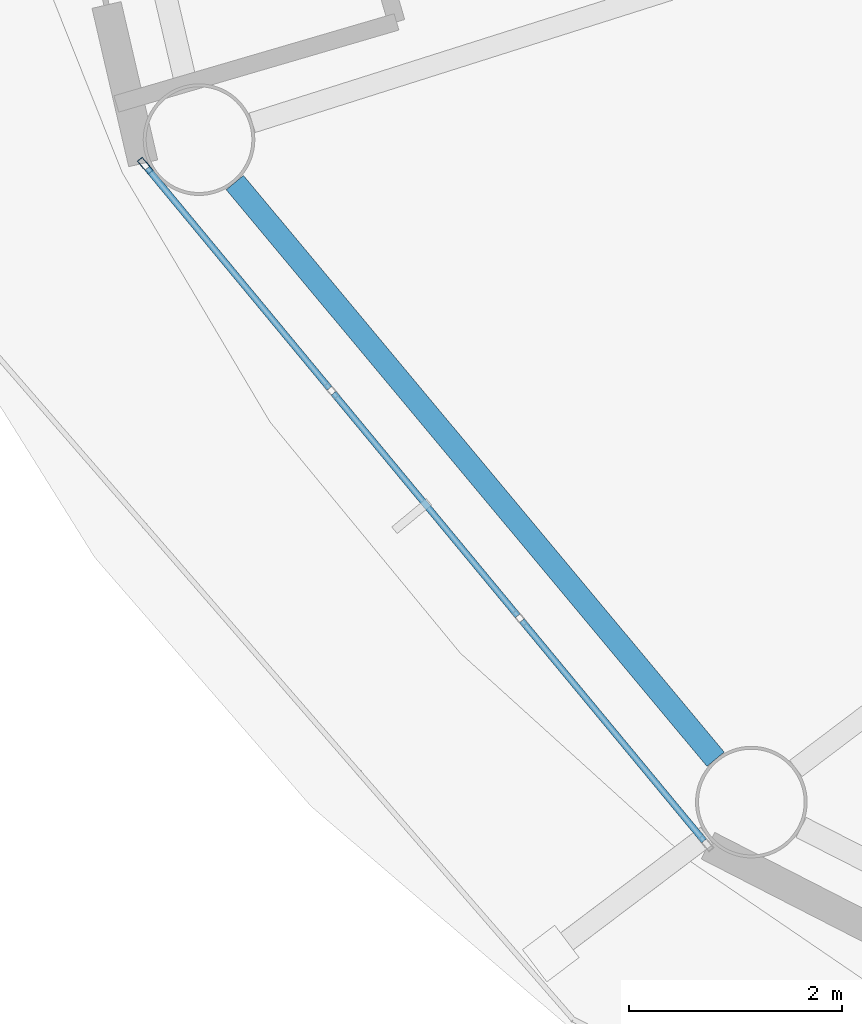
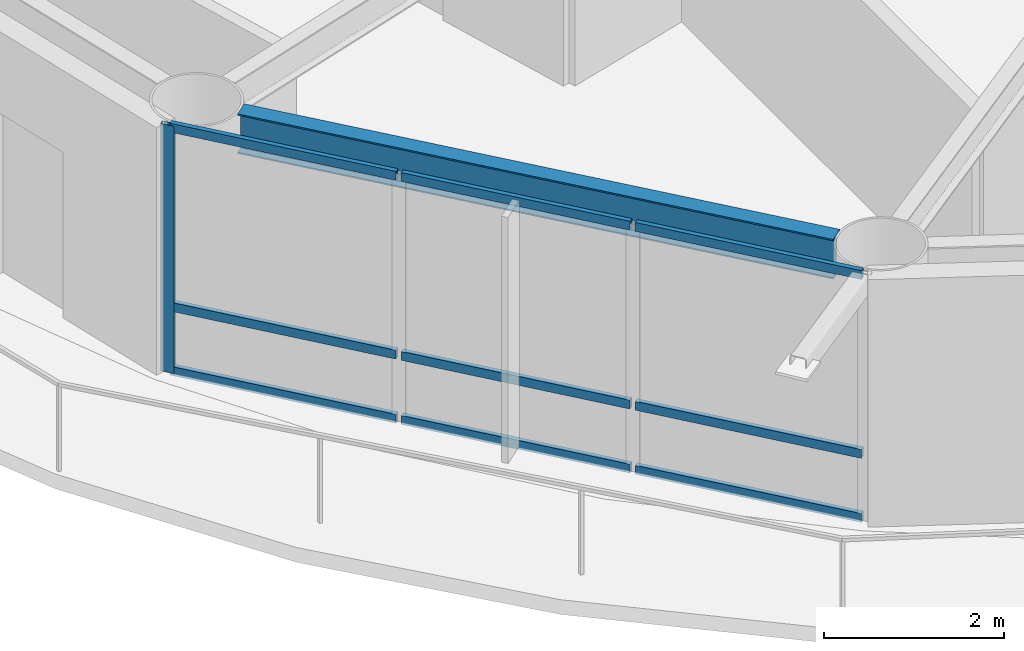
# One storey, part 3 of 23: 10 members, 1 beam, 1 element without a shape of its own.
"""IFC4 building model written with IfcOpenShell, lengths in metres."""

import ifcopenshell
import ifcopenshell.guid

model = None  # the IFC model being written
_history = None  # IfcOwnerHistory: only IFC2X3 demands one
_inside = {}  # id of a spatial element -> (the spatial element, [elements in it])
_under = {}  # id of a project, library or spatial element -> (it, [spatial elements below it])
_declared = {}  # id of a project -> (the project, [libraries it declares])
_typed = {}  # id of a type object -> (the type object, [elements of that type])
_made_of = {}  # id of a material, layer set ... -> (it, [elements and type objects made of it])


def new_model(schema):
    """Start an empty IFC model of exactly this schema.

    Asked for "IFC4X3", IfcOpenShell would pick the latest addendum, in which some entities
    have other attributes; the version numbers below select the first issue.
    IFC2X3 requires an IfcOwnerHistory on every rooted entity: one is made here for all.
    """
    global model, _history
    if schema == "IFC4X3":
        model = ifcopenshell.file(schema_version=(4, 3, 0, 0))
    else:
        model = ifcopenshell.file(schema=schema)
    _inside.clear()
    _under.clear()
    _declared.clear()
    _typed.clear()
    _made_of.clear()
    _history = None
    if model.schema == "IFC2X3":
        org = make("IfcOrganization", Name="unknown")
        user = make(
            "IfcPersonAndOrganization",
            ThePerson=make("IfcPerson", FamilyName="unknown"),
            TheOrganization=org,
        )
        app = make(
            "IfcApplication",
            ApplicationDeveloper=org,
            Version="unknown",
            ApplicationFullName="unknown",
            ApplicationIdentifier="unknown",
        )
        _history = make(
            "IfcOwnerHistory",
            OwningUser=user,
            OwningApplication=app,
            ChangeAction="ADDED",
            CreationDate=0,
        )
    return model


def make(cls, **values):
    """One entity of the class cls with the attributes given. An attribute that is None is left unset."""
    return model.create_entity(
        cls, **{name: value for name, value in values.items() if value is not None}
    )


def rooted(cls, **values):
    """An entity with a GlobalId (a new one), such as an element, a storey or a relation."""
    return make(cls, GlobalId=ifcopenshell.guid.new(), OwnerHistory=_history, **values)


def si_unit(unit_type, name, prefix=None):
    """IfcSIUnit, for example si_unit("LENGTHUNIT", "METRE", prefix="MILLI")."""
    return make("IfcSIUnit", UnitType=unit_type, Prefix=prefix, Name=name)


def assignment(units):
    """IfcUnitAssignment: the units of a project."""
    return None if units is None else make("IfcUnitAssignment", Units=units)


def point(xyz):
    """IfcCartesianPoint."""
    return None if xyz is None else make("IfcCartesianPoint", Coordinates=xyz)


def direction(xyz):
    """IfcDirection."""
    return None if xyz is None else make("IfcDirection", DirectionRatios=xyz)


def frame(location, z_axis=None, x_axis=None):
    """IfcAxis2Placement3D, a coordinate frame: its origin and axes. An axis left out is left unset."""
    return make(
        "IfcAxis2Placement3D",
        Location=point(location),
        Axis=direction(z_axis),
        RefDirection=direction(x_axis),
    )


def frame_2d(location, x_axis=None):
    """IfcAxis2Placement2D, a coordinate frame in the plane: its origin and x axis."""
    return make(
        "IfcAxis2Placement2D", Location=point(location), RefDirection=direction(x_axis)
    )


def origin():
    """The frame at (0, 0, 0) with its axes left unset."""
    return frame((0.0, 0.0, 0.0))


def origin_2d():
    """The frame at (0, 0) in the plane with its x axis left unset."""
    return frame_2d((0.0, 0.0))


def place(relative_to, where):
    """IfcLocalPlacement: puts the frame where relative to a parent placement (None: the world)."""
    return make(
        "IfcLocalPlacement", PlacementRelTo=relative_to, RelativePlacement=where
    )


def context(
    kind, dimensions, precision=None, world=None, true_north=None, identifier=None
):
    """IfcGeometricRepresentationContext, for example the 3D "Model" context."""
    return make(
        "IfcGeometricRepresentationContext",
        ContextIdentifier=identifier,
        ContextType=kind,
        CoordinateSpaceDimension=dimensions,
        Precision=precision,
        WorldCoordinateSystem=world,
        TrueNorth=true_north,
    )


def subcontext(parent, identifier, kind, view, scale=None):
    """IfcGeometricRepresentationSubContext, for example "Body" below "Model"."""
    return make(
        "IfcGeometricRepresentationSubContext",
        ContextIdentifier=identifier,
        ContextType=kind,
        ParentContext=parent,
        TargetScale=scale,
        TargetView=view,
    )


def project(units=None, contexts=None):
    """IfcProject with its units and contexts."""
    return rooted(
        "IfcProject",
        Name="project",
        RepresentationContexts=contexts,
        UnitsInContext=assignment(units),
    )


def spatial(cls, under=None, at=None, **own):
    """A site, building, storey or space (cls), placed at a placement, below another one or the project."""
    s = rooted(cls, ObjectPlacement=at, **own)
    if under is not None:
        _under.setdefault(under.id(), (under, []))[1].append(s)
    return s


def profile(cls, at=None, kind="AREA", **sizes):
    """A parametric profile (cls). Its sizes go by their IFC names, for example OverallWidth=200.0."""
    return make(cls, ProfileType=kind, Position=at, **sizes)


def hollow_rectangle(**sizes):
    """IfcRectangleHollowProfileDef."""
    return profile("IfcRectangleHollowProfileDef", **sizes)


def i_section(**sizes):
    """IfcIShapeProfileDef."""
    return profile("IfcIShapeProfileDef", **sizes)


def extrude(swept, where, along, depth):
    """IfcExtrudedAreaSolid: the profile swept, set in the frame where, extruded along a direction by depth."""
    return make(
        "IfcExtrudedAreaSolid",
        SweptArea=swept,
        Position=where,
        ExtrudedDirection=direction(along),
        Depth=depth,
    )


def shape(context_of_items, identifier, shape_type, items):
    """IfcShapeRepresentation: the items that make up one representation, for example the "Body"."""
    return make(
        "IfcShapeRepresentation",
        ContextOfItems=context_of_items,
        RepresentationIdentifier=identifier,
        RepresentationType=shape_type,
        Items=items,
    )


def material(Name=None, Category=None):
    """IfcMaterial."""
    return make("IfcMaterial", Name=Name, Category=Category)


def layer(
    of_material, thickness, ventilated=None, Name=None, Category=None, Priority=None
):
    """IfcMaterialLayer: one layer of a wall or slab, of a material (None: an air gap)."""
    return make(
        "IfcMaterialLayer",
        Material=of_material,
        LayerThickness=thickness,
        IsVentilated=ventilated,
        Name=Name,
        Category=Category,
        Priority=Priority,
    )


def layer_set(layers, Name=None):
    """IfcMaterialLayerSet."""
    return make("IfcMaterialLayerSet", MaterialLayers=layers, LayerSetName=Name)


def material_profile(
    of_material, cross_section, Name=None, Category=None, Priority=None
):
    """IfcMaterialProfile: a cross section and its material."""
    return make(
        "IfcMaterialProfile",
        Name=Name,
        Material=of_material,
        Profile=cross_section,
        Priority=Priority,
        Category=Category,
    )


def profile_set(profiles, Name=None, composite=None):
    """IfcMaterialProfileSet."""
    return make(
        "IfcMaterialProfileSet",
        Name=Name,
        MaterialProfiles=profiles,
        CompositeProfile=composite,
    )


def made_of(thing, what):
    """Note that an element or type object is made of a material, layer set ...; save() writes the relation."""
    if what is not None:
        _made_of.setdefault(what.id(), (what, []))[1].append(thing)
    return thing


def type_object(cls, material=None, **own):
    """A type object (cls), such as IfcWallType, which elements share."""
    return made_of(rooted(cls, **own), material)


def element(
    cls,
    number,
    at=None,
    inside=None,
    cuts=None,
    type_object=None,
    material=None,
    context=None,
    identifier="Body",
    shape_type=None,
    held_by="IfcProductDefinitionShape",
    body=None,
    shapes=None,
    **own,
):
    """One element of the class cls, such as IfcWall. Its Tag is "e" and its number.

    at: its placement. inside: the storey or other place that contains it. cuts: it is an
    opening in that element (IfcRelVoidsElement). A single representation is given by context,
    identifier, shape_type and body (its items); several are given by shapes. held_by: the class
    of the entity that holds the representations. save() writes the other relations.
    """
    e = rooted(cls, Tag="e%d" % number, ObjectPlacement=at, **own)
    if body is not None:
        shapes = [shape(context, identifier, shape_type, body)]
    if shapes is not None:
        e.Representation = make(held_by, Representations=shapes)
    if inside is not None:
        _inside.setdefault(inside.id(), (inside, []))[1].append(e)
    if cuts is not None:
        rooted(
            "IfcRelVoidsElement", RelatingBuildingElement=cuts, RelatedOpeningElement=e
        )
    if type_object is not None:
        _typed.setdefault(type_object.id(), (type_object, []))[1].append(e)
    return made_of(e, material)


def aggregate(whole, parts):
    """IfcRelAggregates: a whole, such as a stair, and the parts it consists of."""
    return rooted("IfcRelAggregates", RelatingObject=whole, RelatedObjects=parts)


def save(model, path):
    """Write the relations noted so far, then the file.

    IfcRelAggregates (storeys below a building ...), IfcRelContainedInSpatialStructure (elements
    in a storey), IfcRelDefinesByType, IfcRelAssociatesMaterial and IfcRelDeclares: one each for
    every whole, place, type object, material and project.
    """
    for whole, parts in _under.values():
        aggregate(whole, parts)
    for where, things in _inside.values():
        rooted(
            "IfcRelContainedInSpatialStructure",
            RelatedElements=things,
            RelatingStructure=where,
        )
    for kind, things in _typed.values():
        rooted("IfcRelDefinesByType", RelatedObjects=things, RelatingType=kind)
    for what, things in _made_of.values():
        rooted("IfcRelAssociatesMaterial", RelatedObjects=things, RelatingMaterial=what)
    for by, libraries in _declared.values():
        rooted("IfcRelDeclares", RelatingContext=by, RelatedDefinitions=libraries)
    model.write(path)


model = new_model("IFC4")

# Units and contexts
model_context = context("Model", 3, precision=1e-05, world=origin(), true_north=direction((0.0, 1.0)))
body_context = subcontext(model_context, "Body", "Model", "MODEL_VIEW")
ifc_project = project(units=[si_unit("LENGTHUNIT", "METRE"), si_unit("AREAUNIT", "SQUARE_METRE"), si_unit("VOLUMEUNIT", "CUBIC_METRE"), si_unit("PLANEANGLEUNIT", "RADIAN"), si_unit("MASSUNIT", "GRAM", prefix="KILO")], contexts=[model_context])

# Site, building, storey
site_placement = place(None, origin())
site = spatial("IfcSite", under=ifc_project, at=site_placement, CompositionType="ELEMENT")
building_placement = place(site_placement, origin())
building = spatial("IfcBuilding", under=site, at=building_placement, Name="Sarneth Arch Tower", CompositionType="ELEMENT")
storey_placement = place(building_placement, frame((0.0, 0.0, 235.199951171875)))
storey = spatial("IfcBuildingStorey", under=building, at=storey_placement, Name="L60", CompositionType="ELEMENT", Elevation=235.199951171875)

# Beam
ifc_material_1 = material(Name="Steel S355", Category="steel")
ifc_material_profile_1 = material_profile(ifc_material_1, i_section(OverallWidth=0.2109375, OverallDepth=0.5390625, WebThickness=0.01171875, FlangeThickness=0.018798828125, FilletRadius=0.01806640625, at=origin_2d()), Name="W530x109")
ifc_profile_set_1 = profile_set([ifc_material_profile_1], Name="Steel S355")
beam_type = type_object("IfcBeamType", Name="BM-RAD-530B", PredefinedType="BEAM", material=ifc_profile_set_1)
beam_placement = place(storey_placement, frame((25.16748046875, 34.249267578125, 3.090576171875), z_axis=(0.640364654985, -0.76807103099, 0.0), x_axis=(0.76807103099, 0.640364654985, 0.0)))
element("IfcBeam", 1, at=beam_placement, inside=storey, type_object=beam_type, Name="L60 Perimeter spandrel beam 10", PredefinedType="BEAM", context=body_context, shape_type="SweptSolid", body=[
    extrude(i_section(OverallWidth=0.2109375, OverallDepth=0.5390625, WebThickness=0.01171875, FlangeThickness=0.018798828125, FilletRadius=0.01806640625, at=origin_2d()), origin(), (0.0, 0.0, 1.0), 7.06005859375),
])

# Curtain wall, members
ifc_material_2 = material(Name="Anodised aluminium Type AA25 and solar-control low-e laminated IGU", Category="aluminium")
ifc_layer = layer(ifc_material_2, 0.179931640625)
ifc_layer_set = layer_set([ifc_layer], Name="Anodised aluminium Type AA25 and solar-control low-e laminated IGU")
curtain_wall_type = type_object("IfcCurtainWallType", Name="CW-RES-HIGH", PredefinedType="NOTDEFINED", material=ifc_layer_set)
curtain_wall_placement = place(storey_placement, origin())
curtain_wall = element("IfcCurtainWall", 2, at=curtain_wall_placement, inside=storey, type_object=curtain_wall_type, Name="L60 Unitised curtain wall facet 10", PredefinedType="NOTDEFINED")
ifc_material_3 = material(Name="Anodised Aluminium 6063-T6", Category="aluminium")
ifc_material_profile_2 = material_profile(ifc_material_3, hollow_rectangle(XDim=0.06005859375, YDim=0.159912109375, WallThickness=0.00390625, at=origin_2d()), Name="AL-MULL-160x60x4")
ifc_profile_set_2 = profile_set([ifc_material_profile_2], Name="Anodised Aluminium 6063-T6")
member_type_1 = type_object("IfcMemberType", Name="CW-MULLION", PredefinedType="MULLION", material=ifc_profile_set_2)
member_1_placement = place(storey_placement, frame((24.325439453125, 34.407470703125, 0.0), z_axis=(0.0, 0.0, 1.0), x_axis=(0.770359245933, 0.637610094184, 0.0)))
member_1 = element("IfcMember", 3, at=member_1_placement, type_object=member_type_1, Name="CW-SYS-6 mullion 1", PredefinedType="MULLION", context=body_context, shape_type="SweptSolid", body=[
    extrude(hollow_rectangle(XDim=0.06005859375, YDim=0.159912109375, WallThickness=0.00390625, at=origin_2d()), origin(), (0.0, 0.0, 1.0), 3.360107421875),
])
ifc_material_4 = material(Name="Anodised Aluminium 6063-T6", Category="aluminium")
ifc_material_profile_3 = material_profile(ifc_material_4, hollow_rectangle(XDim=0.06005859375, YDim=0.1201171875, WallThickness=0.00390625, at=origin_2d()), Name="AL-TRAN-120x60x4")
ifc_profile_set_3 = profile_set([ifc_material_profile_3], Name="Anodised Aluminium 6063-T6")
member_type_2 = type_object("IfcMemberType", Name="CW-TRANSOM", PredefinedType="USERDEFINED", material=ifc_profile_set_3)
member_2_placement = place(storey_placement, frame((24.344482421875, 34.38427734375, 0.030029296875), z_axis=(0.637651400067, -0.770325056059, 0.0), x_axis=(0.770325056059, 0.637651400067, 0.0)))
member_2 = element("IfcMember", 4, at=member_2_placement, type_object=member_type_2, Name="CW-SYS-6 transom 1.1", ObjectType="TRANSOM", PredefinedType="USERDEFINED", context=body_context, shape_type="SweptSolid", body=[
    extrude(hollow_rectangle(XDim=0.06005859375, YDim=0.1201171875, WallThickness=0.00390625, at=origin_2d()), origin(), (0.0, 0.0, 1.0), 2.6865234375),
])
member_3_placement = place(storey_placement, frame((24.344482421875, 34.38427734375, 0.900146484375), z_axis=(0.637651400067, -0.770325056059, 0.0), x_axis=(0.770325056059, 0.637651400067, 0.0)))
member_3 = element("IfcMember", 5, at=member_3_placement, type_object=member_type_2, Name="CW-SYS-6 transom 1.2", ObjectType="TRANSOM", PredefinedType="USERDEFINED", context=body_context, shape_type="SweptSolid", body=[
    extrude(hollow_rectangle(XDim=0.06005859375, YDim=0.1201171875, WallThickness=0.00390625, at=origin_2d()), origin(), (0.0, 0.0, 1.0), 2.6865234375),
])
member_4_placement = place(storey_placement, frame((24.344482421875, 34.38427734375, 3.330078125), z_axis=(0.637651400067, -0.770325056059, 0.0), x_axis=(0.770325056059, 0.637651400067, 0.0)))
member_4 = element("IfcMember", 6, at=member_4_placement, type_object=member_type_2, Name="CW-SYS-6 transom 1.3", ObjectType="TRANSOM", PredefinedType="USERDEFINED", context=body_context, shape_type="SweptSolid", body=[
    extrude(hollow_rectangle(XDim=0.06005859375, YDim=0.1201171875, WallThickness=0.00390625, at=origin_2d()), origin(), (0.0, 0.0, 1.0), 2.6865234375),
])
member_5_placement = place(storey_placement, frame((26.095703125, 32.268310546875, 0.030029296875), z_axis=(0.637617371902, -0.770353222261, 0.0), x_axis=(0.770353222261, 0.637617371902, 0.0)))
member_5 = element("IfcMember", 7, at=member_5_placement, type_object=member_type_2, Name="CW-SYS-6 transom 2.1", ObjectType="TRANSOM", PredefinedType="USERDEFINED", context=body_context, shape_type="SweptSolid", body=[
    extrude(hollow_rectangle(XDim=0.06005859375, YDim=0.1201171875, WallThickness=0.00390625, at=origin_2d()), origin(), (0.0, 0.0, 1.0), 2.716552734375),
])
member_6_placement = place(storey_placement, frame((26.095703125, 32.268310546875, 0.900146484375), z_axis=(0.637617371902, -0.770353222261, 0.0), x_axis=(0.770353222261, 0.637617371902, 0.0)))
member_6 = element("IfcMember", 8, at=member_6_placement, type_object=member_type_2, Name="CW-SYS-6 transom 2.2", ObjectType="TRANSOM", PredefinedType="USERDEFINED", context=body_context, shape_type="SweptSolid", body=[
    extrude(hollow_rectangle(XDim=0.06005859375, YDim=0.1201171875, WallThickness=0.00390625, at=origin_2d()), origin(), (0.0, 0.0, 1.0), 2.716552734375),
])
member_7_placement = place(storey_placement, frame((26.095703125, 32.268310546875, 3.330078125), z_axis=(0.637617371902, -0.770353222261, 0.0), x_axis=(0.770353222261, 0.637617371902, 0.0)))
member_7 = element("IfcMember", 9, at=member_7_placement, type_object=member_type_2, Name="CW-SYS-6 transom 2.3", ObjectType="TRANSOM", PredefinedType="USERDEFINED", context=body_context, shape_type="SweptSolid", body=[
    extrude(hollow_rectangle(XDim=0.06005859375, YDim=0.1201171875, WallThickness=0.00390625, at=origin_2d()), origin(), (0.0, 0.0, 1.0), 2.716552734375),
])
member_8_placement = place(storey_placement, frame((27.8662109375, 30.12939453125, 0.030029296875), z_axis=(0.637606765719, -0.770362000821, 0.0), x_axis=(0.770362000821, 0.637606765719, 0.0)))
member_8 = element("IfcMember", 10, at=member_8_placement, type_object=member_type_2, Name="CW-SYS-6 transom 3.1", ObjectType="TRANSOM", PredefinedType="USERDEFINED", context=body_context, shape_type="SweptSolid", body=[
    extrude(hollow_rectangle(XDim=0.06005859375, YDim=0.1201171875, WallThickness=0.00390625, at=origin_2d()), origin(), (0.0, 0.0, 1.0), 2.686767578125),
])
member_9_placement = place(storey_placement, frame((27.8662109375, 30.12939453125, 0.900146484375), z_axis=(0.637606765719, -0.770362000821, 0.0), x_axis=(0.770362000821, 0.637606765719, 0.0)))
member_9 = element("IfcMember", 11, at=member_9_placement, type_object=member_type_2, Name="CW-SYS-6 transom 3.2", ObjectType="TRANSOM", PredefinedType="USERDEFINED", context=body_context, shape_type="SweptSolid", body=[
    extrude(hollow_rectangle(XDim=0.06005859375, YDim=0.1201171875, WallThickness=0.00390625, at=origin_2d()), origin(), (0.0, 0.0, 1.0), 2.686767578125),
])
member_10_placement = place(storey_placement, frame((27.8662109375, 30.12939453125, 3.330078125), z_axis=(0.637606765719, -0.770362000821, 0.0), x_axis=(0.770362000821, 0.637606765719, 0.0)))
member_10 = element("IfcMember", 12, at=member_10_placement, type_object=member_type_2, Name="CW-SYS-6 transom 3.3", ObjectType="TRANSOM", PredefinedType="USERDEFINED", context=body_context, shape_type="SweptSolid", body=[
    extrude(hollow_rectangle(XDim=0.06005859375, YDim=0.1201171875, WallThickness=0.00390625, at=origin_2d()), origin(), (0.0, 0.0, 1.0), 2.686767578125),
])
aggregate(curtain_wall, [member_1, member_2, member_3, member_4, member_5, member_6, member_7, member_8, member_9, member_10])

save(model, "model.ifc")
